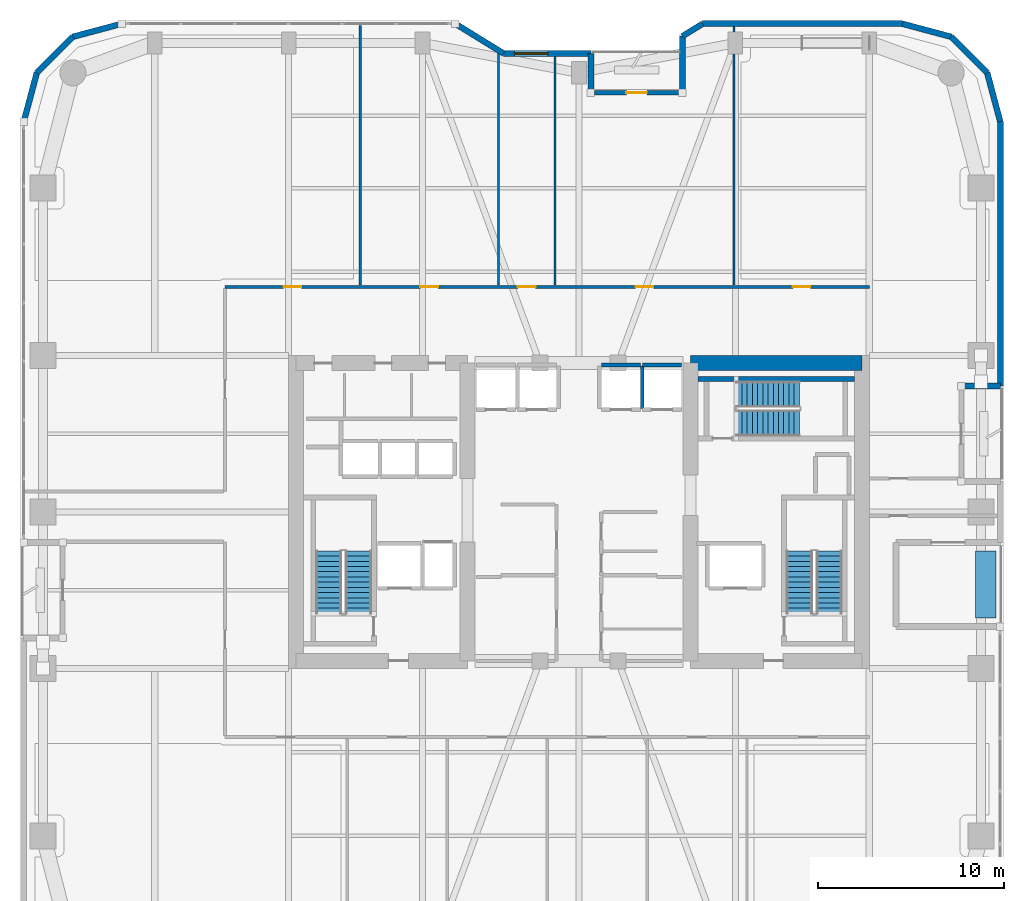
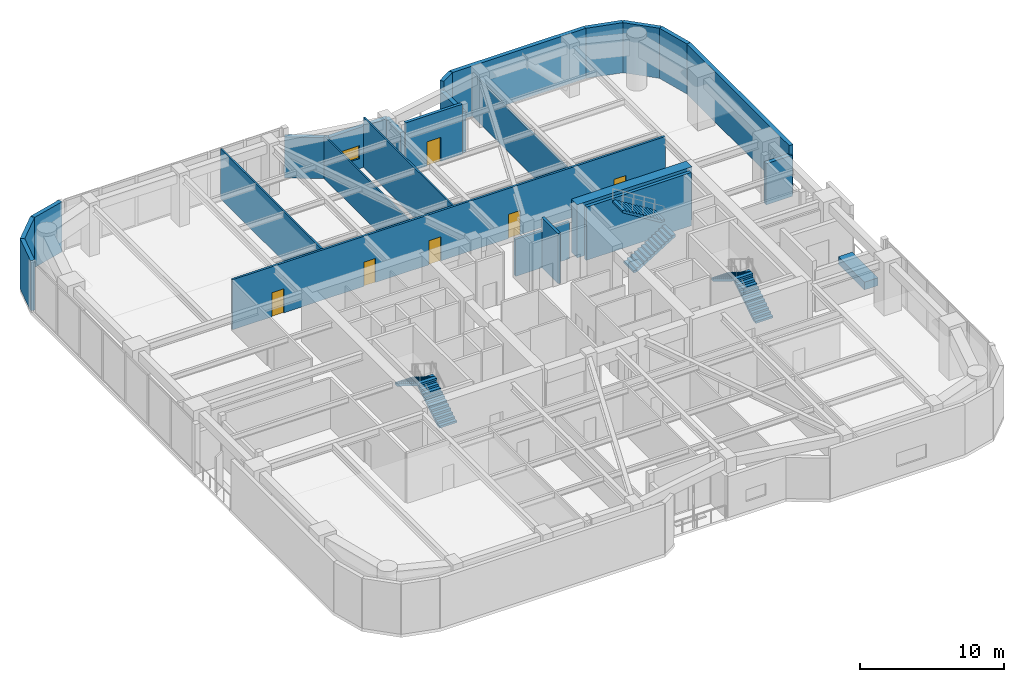
# One storey, part 17 of 20: 25 walls, 6 doors, 6 stair flights, 1 discrete accessory, 1 window, 7 openings, 3 elements without a shape of their own.
"""IFC4 building model written with IfcOpenShell, lengths in metres."""

from ifc_helpers import new_model, si_unit, direction, frame, frame_2d, origin, origin_2d, place, context, subcontext, project, spatial, polyline, rectangle, outline, extrude, material, layer, layer_set, type_object, element, fill, aggregate, save


model = new_model("IFC4")

# Units and contexts
model_context = context("Model", 3, precision=1e-05, world=origin(), true_north=direction((0.0, 1.0)))
body_context = subcontext(model_context, "Body", "Model", "MODEL_VIEW")
ifc_project = project(units=[si_unit("LENGTHUNIT", "METRE"), si_unit("AREAUNIT", "SQUARE_METRE"), si_unit("VOLUMEUNIT", "CUBIC_METRE"), si_unit("PLANEANGLEUNIT", "RADIAN"), si_unit("MASSUNIT", "GRAM", prefix="KILO")], contexts=[model_context])

# Site, building, storey
site_placement = place(None, origin())
site = spatial("IfcSite", under=ifc_project, at=site_placement, CompositionType="ELEMENT")
building_placement = place(site_placement, origin())
building = spatial("IfcBuilding", under=site, at=building_placement, Name="Kiyonajd Concourse Tower", CompositionType="ELEMENT")
storey_placement = place(building_placement, frame((0.0, 0.0, 125.39990234375)))
storey = spatial("IfcBuildingStorey", under=building, at=storey_placement, Name="L32", CompositionType="ELEMENT", Elevation=125.39990234375)

# Walls
ifc_material_1 = material(Name="Concrete C70/85", Category="concrete")
ifc_layer_1 = layer(ifc_material_1, 0.800048828125)
ifc_layer_set_1 = layer_set([ifc_layer_1], Name="Concrete C70/85")
wall_type_1 = type_object("IfcWallType", Name="WL-CORE-800", PredefinedType="SHEAR", material=ifc_layer_set_1)
wall_1_placement = place(storey_placement, frame((54.0, 44.0, 0.0), z_axis=(0.0, 0.0, 1.0), x_axis=(1.0, 0.0, 0.0)))
element("IfcWall", 1, at=wall_1_placement, inside=storey, type_object=wall_type_1, Name="L32 East Core North Shear Wall", PredefinedType="SHEAR", context=body_context, shape_type="SweptSolid", body=[
    extrude(rectangle(XDim=9.199951171875, YDim=0.800048828125, at=frame_2d((4.60009765625, 0.0))), origin(), (0.0, 0.0, 1.0), 4.5),
])
ifc_material_2 = material(Name="Precast concrete C50/60", Category="concrete")
ifc_layer_2 = layer(ifc_material_2, 0.320068359375)
ifc_layer_set_2 = layer_set([ifc_layer_2], Name="Precast concrete C50/60")
wall_type_2 = type_object("IfcWallType", Name="WL-EXT-320", PredefinedType="SOLIDWALL", material=ifc_layer_set_2)
wall_2_placement = place(storey_placement, frame((18.159912109375, 56.97900390625, 0.0), z_axis=(0.0, 0.0, 1.0), x_axis=(0.25869736047, 0.965958423373, 0.0)))
element("IfcWall", 2, at=wall_2_placement, inside=storey, type_object=wall_type_2, Name="L32 Exterior Concrete Frame Wall 05", PredefinedType="SOLIDWALL", context=body_context, shape_type="SweptSolid", body=[
    extrude(rectangle(XDim=2.731201171875, YDim=0.320068359375, at=frame_2d((1.36572265625, 0.0))), origin(), (0.0, 0.0, 1.0), 4.239990234375),
])
wall_3_placement = place(storey_placement, frame((18.866455078125, 59.6171875, 0.0), z_axis=(0.0, 0.0, 1.0), x_axis=(0.707106781187, 0.707106781187, 0.0)))
element("IfcWall", 3, at=wall_3_placement, inside=storey, type_object=wall_type_2, Name="L32 Exterior Concrete Frame Wall 06", PredefinedType="SOLIDWALL", context=body_context, shape_type="SweptSolid", body=[
    extrude(rectangle(XDim=2.7099609375, YDim=0.320068359375, at=frame_2d((1.35498046875, 0.0))), origin(), (0.0, 0.0, 1.0), 4.239990234375),
])
wall_4_placement = place(storey_placement, frame((20.78271484375, 61.533447265625, 0.0), z_axis=(0.0, 0.0, 1.0), x_axis=(0.965964405026, 0.25867502435, 0.0)))
element("IfcWall", 4, at=wall_4_placement, inside=storey, type_object=wall_type_2, Name="L32 Exterior Concrete Frame Wall 07", PredefinedType="SOLIDWALL", context=body_context, shape_type="SweptSolid", body=[
    extrude(rectangle(XDim=2.7314453125, YDim=0.320068359375, at=frame_2d((1.36572265625, 0.0))), origin(), (0.0, 0.0, 1.0), 4.239990234375),
])
wall_5_placement = place(storey_placement, frame((41.354736328125, 62.239990234375, 0.0), z_axis=(0.0, 0.0, 1.0), x_axis=(0.851630857047, -0.524142044989, 0.0)))
element("IfcWall", 5, at=wall_5_placement, inside=storey, type_object=wall_type_2, Name="L32 Exterior Concrete Frame Wall 09", PredefinedType="SOLIDWALL", context=body_context, shape_type="SweptSolid", body=[
    extrude(rectangle(XDim=3.052734375, YDim=0.320068359375, at=frame_2d((1.5263671875, 0.0))), origin(), (0.0, 0.0, 1.0), 3.47509765625),
])

# Wall, opening, window
wall_6_placement = place(storey_placement, frame((43.95458984375, 60.639892578125, 0.0), z_axis=(0.0, 0.0, 1.0), x_axis=(1.0, 0.0, 0.0)))
wall_6 = element("IfcWall", 6, at=wall_6_placement, inside=storey, type_object=wall_type_2, Name="L32 Exterior Concrete Frame Wall 10", PredefinedType="SOLIDWALL", context=body_context, shape_type="SweptSolid", body=[
    extrude(rectangle(XDim=4.685302734375, YDim=0.320068359375, at=frame_2d((2.3427734375, 0.0))), origin(), (0.0, 0.0, 1.0), 3.47509765625),
])
opening_1_placement = place(wall_6_placement, frame((0.572998046875, 0.0, 0.85009765625)))
opening_1 = element("IfcOpeningElement", 7, at=opening_1_placement, cuts=wall_6, Name="Opening WN1", PredefinedType="OPENING", context=body_context, shape_type="SweptSolid", body=[
    extrude(rectangle(XDim=1.800048828125, YDim=1.10009765625, at=frame_2d((0.89990234375, 0.550048828125))), frame((0.0, 0.169921875, 0.0), z_axis=(0.0, -1.0, 0.0), x_axis=(1.0, 0.0, 0.0)), (0.0, 0.0, 1.0), 0.340087890625),
])
ifc_material_3 = material(Name="Double Low-E Insulated Glass", Category="glass")
window_type = type_object("IfcWindowType", Name="WN-VIS-1800x1100", PartitioningType="SINGLE_PANEL", PredefinedType="WINDOW", material=ifc_material_3)
window_placement = place(opening_1_placement, origin())
window = element("IfcWindow", 8, at=window_placement, inside=storey, type_object=window_type, Name="L32 Modular Facade Vision Window 10", OverallHeight=1.10009765625, OverallWidth=1.800048828125, PartitioningType="SINGLE_PANEL", PredefinedType="WINDOW", context=body_context, shape_type="SweptSolid", body=[
    extrude(rectangle(XDim=1.800048828125, YDim=1.10009765625, at=frame_2d((0.89990234375, 0.550048828125))), frame((0.0, 0.030029296875, 0.0), z_axis=(0.0, -1.0, 0.0), x_axis=(1.0, 0.0, 0.0)), (0.0, 0.0, 1.0), 0.06005859375),
])
fill(opening_1, window)

# Walls
wall_7_placement = place(storey_placement, frame((48.639892578125, 60.639892578125, 0.0), z_axis=(0.0, 0.0, 1.0), x_axis=(0.0, -1.0, 0.0)))
element("IfcWall", 9, at=wall_7_placement, inside=storey, type_object=wall_type_2, Name="L32 Exterior Concrete Frame Wall 11", PredefinedType="SOLIDWALL", context=body_context, shape_type="SweptSolid", body=[
    extrude(rectangle(XDim=2.099853515625, YDim=0.320068359375, at=frame_2d((1.0498046875, 0.0))), origin(), (0.0, 0.0, 1.0), 3.47509765625),
])
wall_8_placement = place(storey_placement, frame((53.56005859375, 58.5400390625, 0.0), z_axis=(0.0, 0.0, 1.0), x_axis=(0.0, 1.0, 0.0)))
element("IfcWall", 10, at=wall_8_placement, inside=storey, type_object=wall_type_2, Name="L32 Exterior Concrete Frame Wall 13", PredefinedType="SOLIDWALL", context=body_context, shape_type="SweptSolid", body=[
    extrude(rectangle(XDim=3.032470703125, YDim=0.320068359375, at=frame_2d((1.51611328125, 0.0))), origin(), (0.0, 0.0, 1.0), 3.47509765625),
])
wall_9_placement = place(storey_placement, frame((53.56005859375, 61.572509765625, 0.0), z_axis=(0.0, 0.0, 1.0), x_axis=(0.851776724646, 0.523904964045, 0.0)))
element("IfcWall", 11, at=wall_9_placement, inside=storey, type_object=wall_type_2, Name="L32 Exterior Concrete Frame Wall 14", PredefinedType="SOLIDWALL", context=body_context, shape_type="SweptSolid", body=[
    extrude(rectangle(XDim=1.274169921875, YDim=0.320068359375, at=frame_2d((0.63720703125, 0.0))), origin(), (0.0, 0.0, 1.0), 4.239990234375),
])
wall_10_placement = place(storey_placement, frame((54.645263671875, 62.239990234375, 0.0), z_axis=(0.0, 0.0, 1.0), x_axis=(1.0, 0.0, 0.0)))
element("IfcWall", 12, at=wall_10_placement, inside=storey, type_object=wall_type_2, Name="L32 Exterior Concrete Frame Wall 15", PredefinedType="SOLIDWALL", context=body_context, shape_type="SweptSolid", body=[
    extrude(rectangle(XDim=10.733642578125, YDim=0.320068359375, at=frame_2d((5.36669921875, 0.0))), origin(), (0.0, 0.0, 1.0), 4.239990234375),
])
wall_11_placement = place(storey_placement, frame((65.37890625, 62.239990234375, 0.0), z_axis=(0.0, 0.0, 1.0), x_axis=(0.965958423373, -0.25869736047, 0.0)))
element("IfcWall", 13, at=wall_11_placement, inside=storey, type_object=wall_type_2, Name="L32 Exterior Concrete Frame Wall 16", PredefinedType="SOLIDWALL", context=body_context, shape_type="SweptSolid", body=[
    extrude(rectangle(XDim=2.731201171875, YDim=0.320068359375, at=frame_2d((1.36572265625, 0.0))), origin(), (0.0, 0.0, 1.0), 4.239990234375),
])
wall_12_placement = place(storey_placement, frame((68.01708984375, 61.533447265625, 0.0), z_axis=(0.0, 0.0, 1.0), x_axis=(0.707151821269, -0.707061738235, 0.0)))
element("IfcWall", 14, at=wall_12_placement, inside=storey, type_object=wall_type_2, Name="L32 Exterior Concrete Frame Wall 17", PredefinedType="SOLIDWALL", context=body_context, shape_type="SweptSolid", body=[
    extrude(rectangle(XDim=2.710205078125, YDim=0.320068359375, at=frame_2d((1.35498046875, 0.0))), origin(), (0.0, 0.0, 1.0), 4.239990234375),
])
wall_13_placement = place(storey_placement, frame((69.93359375, 59.6171875, 0.0), z_axis=(0.0, 0.0, 1.0), x_axis=(0.258613949072, -0.965980758269, 0.0)))
element("IfcWall", 15, at=wall_13_placement, inside=storey, type_object=wall_type_2, Name="L32 Exterior Concrete Frame Wall 18", PredefinedType="SOLIDWALL", context=body_context, shape_type="SweptSolid", body=[
    extrude(rectangle(XDim=2.731201171875, YDim=0.320068359375, at=frame_2d((1.36572265625, 0.0))), origin(), (0.0, 0.0, 1.0), 4.239990234375),
])
wall_14_placement = place(storey_placement, frame((70.639892578125, 56.97900390625, 0.0), z_axis=(0.0, 0.0, 1.0), x_axis=(0.0, -1.0, 0.0)))
element("IfcWall", 16, at=wall_14_placement, inside=storey, type_object=wall_type_2, Name="L32 Exterior Concrete Frame Wall 19", PredefinedType="SOLIDWALL", context=body_context, shape_type="SweptSolid", body=[
    extrude(rectangle(XDim=14.218994140625, YDim=0.320068359375, at=frame_2d((7.109375, 0.0))), origin(), (0.0, 0.0, 1.0), 4.239990234375),
])
wall_15_placement = place(storey_placement, frame((70.639892578125, 42.760009765625, 0.0), z_axis=(0.0, 0.0, 1.0), x_axis=(-1.0, 0.0, 0.0)))
element("IfcWall", 17, at=wall_15_placement, inside=storey, type_object=wall_type_2, Name="L32 Exterior Concrete Frame Wall 20", PredefinedType="SOLIDWALL", context=body_context, shape_type="SweptSolid", body=[
    extrude(rectangle(XDim=2.099853515625, YDim=0.320068359375, at=frame_2d((1.0498046875, 0.0))), origin(), (0.0, 0.0, 1.0), 3.47509765625),
])

# Wall, opening, door
ifc_layer_3 = layer(ifc_material_2, 0.239990234375)
ifc_layer_set_3 = layer_set([ifc_layer_3], Name="Precast concrete C50/60")
wall_type_3 = type_object("IfcWallType", Name="WL-LOG-240", PredefinedType="SOLIDWALL", material=ifc_layer_set_3)
wall_16_placement = place(storey_placement, frame((48.8349609375, 58.5400390625, 0.0), z_axis=(0.0, 0.0, 1.0), x_axis=(1.0, 0.0, 0.0)))
wall_16 = element("IfcWall", 18, at=wall_16_placement, inside=storey, type_object=wall_type_3, Name="L32 Recessed Loggia Thermal Wall LOG-N", PredefinedType="SOLIDWALL", context=body_context, shape_type="SweptSolid", body=[
    extrude(rectangle(XDim=4.530029296875, YDim=0.239990234375, at=frame_2d((2.26513671875, 0.0))), origin(), (0.0, 0.0, 1.0), 4.239990234375),
])
opening_2_placement = place(wall_16_placement, frame((1.715087890625, 0.0, 0.0)))
opening_2 = element("IfcOpeningElement", 19, at=opening_2_placement, cuts=wall_16, Name="Opening DL2", PredefinedType="OPENING", context=body_context, shape_type="SweptSolid", body=[
    extrude(rectangle(XDim=1.10009765625, YDim=2.0400390625, at=frame_2d((0.550048828125, 1.02001953125))), frame((0.0, 0.1298828125, 0.0), z_axis=(0.0, -1.0, 0.0), x_axis=(1.0, 0.0, 0.0)), (0.0, 0.0, 1.0), 0.260009765625),
])
ifc_material_4 = material(Name="Thermally Broken Anodised Aluminium", Category="aluminium")
door_type_1 = type_object("IfcDoorType", Name="DR-LOG-1100", OperationType="NOTDEFINED", PredefinedType="DOOR", material=ifc_material_4)
door_1_placement = place(opening_2_placement, origin())
door_1 = element("IfcDoor", 20, at=door_1_placement, inside=storey, type_object=door_type_1, Name="L32 Engawa Loggia Access Door LOG-N", OperationType="SINGLE_SWING_RIGHT", OverallHeight=2.0400390625, OverallWidth=1.10009765625, PredefinedType="DOOR", context=body_context, shape_type="SweptSolid", body=[
    extrude(rectangle(XDim=1.10009765625, YDim=2.0400390625, at=frame_2d((0.550048828125, 1.02001953125))), frame((0.0, 0.02490234375, 0.0), z_axis=(0.0, -1.0, 0.0), x_axis=(1.0, 0.0, 0.0)), (0.0, 0.0, 1.0), 0.050048828125),
])
fill(opening_2, door_1)

# Walls
ifc_material_5 = material(Name="Gypsum Board on Cold-Formed Steel Stud", Category="steel")
ifc_layer_4 = layer(ifc_material_5, 0.125)
ifc_layer_set_4 = layer_set([ifc_layer_4], Name="Gypsum Board on Cold-Formed Steel Stud")
wall_type_4 = type_object("IfcWallType", Name="WL-PART-125", PredefinedType="PARTITIONING", material=ifc_layer_set_4)
wall_17_placement = place(storey_placement, frame((36.239990234375, 48.18701171875, 0.0), z_axis=(0.0, 0.0, 1.0), x_axis=(0.0, 1.0, 0.0)))
element("IfcWall", 21, at=wall_17_placement, inside=storey, type_object=wall_type_4, Name="L32 Interior Partition Wall", PredefinedType="PARTITIONING", context=body_context, shape_type="SweptSolid", body=[
    extrude(rectangle(XDim=13.947998046875, YDim=0.125, at=frame_2d((6.97412109375, 0.0))), origin(), (0.0, 0.0, 1.0), 4.239990234375),
])
wall_18_placement = place(storey_placement, frame((43.669921875, 48.18701171875, 0.0), z_axis=(0.0, 0.0, 1.0), x_axis=(0.0, 1.0, 0.0)))
element("IfcWall", 22, at=wall_18_placement, inside=storey, type_object=wall_type_4, Name="L32 Interior Partition Wall", PredefinedType="PARTITIONING", context=body_context, shape_type="SweptSolid", body=[
    extrude(rectangle(XDim=12.472900390625, YDim=0.125, at=frame_2d((6.236328125, 0.0))), origin(), (0.0, 0.0, 1.0), 3.60302734375),
])
wall_19_placement = place(storey_placement, frame((46.7099609375, 48.18701171875, 0.0), z_axis=(0.0, 0.0, 1.0), x_axis=(0.0, 1.0, 0.0)))
element("IfcWall", 23, at=wall_19_placement, inside=storey, type_object=wall_type_4, Name="L32 Interior Partition Wall", PredefinedType="PARTITIONING", context=body_context, shape_type="SweptSolid", body=[
    extrude(rectangle(XDim=12.298095703125, YDim=0.125, at=frame_2d((6.14892578125, 0.0))), origin(), (0.0, 0.0, 1.0), 4.239990234375),
])
wall_20_placement = place(storey_placement, frame((56.330078125, 48.18701171875, 0.0), z_axis=(0.0, 0.0, 1.0), x_axis=(0.0, 1.0, 0.0)))
element("IfcWall", 24, at=wall_20_placement, inside=storey, type_object=wall_type_4, Name="L32 Interior Partition Wall", PredefinedType="PARTITIONING", context=body_context, shape_type="SweptSolid", body=[
    extrude(rectangle(XDim=13.89794921875, YDim=0.125, at=frame_2d((6.948974609375, 0.0))), origin(), (0.0, 0.0, 1.0), 3.60302734375),
])
ifc_layer_5 = layer(ifc_material_5, 0.2099609375)
ifc_layer_set_5 = layer_set([ifc_layer_5], Name="Gypsum Board on Cold-Formed Steel Stud")
wall_type_5 = type_object("IfcWallType", Name="WL-SHAFT-210", PredefinedType="PARTITIONING", material=ifc_layer_set_5)
wall_21_placement = place(storey_placement, frame((49.199951171875, 43.89990234375, 0.0), z_axis=(0.0, 0.0, 1.0), x_axis=(1.0, 0.0, 0.0)))
element("IfcWall", 25, at=wall_21_placement, inside=storey, type_object=wall_type_5, Name="L32 Shaft Enclosure Wall", PredefinedType="PARTITIONING", context=body_context, shape_type="SweptSolid", body=[
    extrude(rectangle(XDim=2.10009765625, YDim=0.2099609375, at=frame_2d((1.050048828125, 0.0))), origin(), (0.0, 0.0, 1.0), 3.125),
])
wall_22_placement = place(storey_placement, frame((51.39990234375, 41.56005859375, 0.0), z_axis=(0.0, 0.0, 1.0), x_axis=(0.0, 1.0, 0.0)))
element("IfcWall", 26, at=wall_22_placement, inside=storey, type_object=wall_type_5, Name="L32 Shaft Enclosure Wall", PredefinedType="PARTITIONING", context=body_context, shape_type="SweptSolid", body=[
    extrude(rectangle(XDim=2.280029296875, YDim=0.2099609375, at=frame_2d((1.14013671875, 0.0))), origin(), (0.0, 0.0, 1.0), 4.239990234375),
])
wall_23_placement = place(storey_placement, frame((51.39990234375, 43.89990234375, 0.0), z_axis=(0.0, 0.0, 1.0), x_axis=(1.0, 0.0, 0.0)))
element("IfcWall", 27, at=wall_23_placement, inside=storey, type_object=wall_type_5, Name="L32 Shaft Enclosure Wall", PredefinedType="PARTITIONING", context=body_context, shape_type="SweptSolid", body=[
    extrude(rectangle(XDim=2.10009765625, YDim=0.2099609375, at=frame_2d((1.050048828125, 0.0))), origin(), (0.0, 0.0, 1.0), 3.125),
])

# Wall, openings, doors
ifc_layer_6 = layer(ifc_material_5, 0.169921875)
ifc_layer_set_6 = layer_set([ifc_layer_6], Name="Gypsum Board on Cold-Formed Steel Stud")
wall_type_6 = type_object("IfcWallType", Name="WL-SMK-170", PredefinedType="PARTITIONING", material=ifc_layer_set_6)
wall_24_placement = place(storey_placement, frame((28.97509765625, 48.10009765625, 0.0), z_axis=(0.0, 0.0, 1.0), x_axis=(1.0, 0.0, 0.0)))
wall_24 = element("IfcWall", 28, at=wall_24_placement, inside=storey, type_object=wall_type_6, Name="L32 Interior Partition Wall", PredefinedType="PARTITIONING", context=body_context, shape_type="SweptSolid", body=[
    extrude(rectangle(XDim=34.625, YDim=0.169921875, at=frame_2d((17.3125, 0.0))), origin(), (0.0, 0.0, 1.0), 4.239990234375),
])
opening_3_placement = place(wall_24_placement, frame((3.157958984375, 0.0, 0.0)))
opening_3 = element("IfcOpeningElement", 29, at=opening_3_placement, cuts=wall_24, Name="Opening DI1", PredefinedType="OPENING", context=body_context, shape_type="SweptSolid", body=[
    extrude(rectangle(XDim=0.949951171875, YDim=2.0400390625, at=frame_2d((0.47509765625, 1.02001953125))), frame((0.0, 0.094970703125, 0.0), z_axis=(0.0, -1.0, 0.0), x_axis=(1.0, 0.0, 0.0)), (0.0, 0.0, 1.0), 0.18994140625),
])
opening_4_placement = place(wall_24_placement, frame((10.5048828125, 0.0, 0.0)))
opening_4 = element("IfcOpeningElement", 30, at=opening_4_placement, cuts=wall_24, Name="Opening DI1", PredefinedType="OPENING", context=body_context, shape_type="SweptSolid", body=[
    extrude(rectangle(XDim=0.949951171875, YDim=2.0400390625, at=frame_2d((0.47509765625, 1.02001953125))), frame((0.0, 0.094970703125, 0.0), z_axis=(0.0, -1.0, 0.0), x_axis=(1.0, 0.0, 0.0)), (0.0, 0.0, 1.0), 0.18994140625),
])
opening_5_placement = place(wall_24_placement, frame((15.739990234375, 0.0, 0.0)))
opening_5 = element("IfcOpeningElement", 31, at=opening_5_placement, cuts=wall_24, Name="Opening DI1", PredefinedType="OPENING", context=body_context, shape_type="SweptSolid", body=[
    extrude(rectangle(XDim=0.949951171875, YDim=2.0400390625, at=frame_2d((0.47509765625, 1.02001953125))), frame((0.0, 0.094970703125, 0.0), z_axis=(0.0, -1.0, 0.0), x_axis=(1.0, 0.0, 0.0)), (0.0, 0.0, 1.0), 0.18994140625),
])
opening_6_placement = place(wall_24_placement, frame((22.070068359375, 0.0, 0.0)))
opening_6 = element("IfcOpeningElement", 32, at=opening_6_placement, cuts=wall_24, Name="Opening DI1", PredefinedType="OPENING", context=body_context, shape_type="SweptSolid", body=[
    extrude(rectangle(XDim=0.949951171875, YDim=2.0400390625, at=frame_2d((0.47509765625, 1.02001953125))), frame((0.0, 0.094970703125, 0.0), z_axis=(0.0, -1.0, 0.0), x_axis=(1.0, 0.0, 0.0)), (0.0, 0.0, 1.0), 0.18994140625),
])
opening_7_placement = place(wall_24_placement, frame((30.514892578125, 0.0, 0.0)))
opening_7 = element("IfcOpeningElement", 33, at=opening_7_placement, cuts=wall_24, Name="Opening DI1", PredefinedType="OPENING", context=body_context, shape_type="SweptSolid", body=[
    extrude(rectangle(XDim=0.949951171875, YDim=2.0400390625, at=frame_2d((0.47509765625, 1.02001953125))), frame((0.0, 0.094970703125, 0.0), z_axis=(0.0, -1.0, 0.0), x_axis=(1.0, 0.0, 0.0)), (0.0, 0.0, 1.0), 0.18994140625),
])
ifc_material_6 = material(Name="Natural Oak Acoustic Timber Veneer", Category="wood")
door_type_2 = type_object("IfcDoorType", Name="DR-INT-950", OperationType="NOTDEFINED", PredefinedType="DOOR", material=ifc_material_6)
door_2_placement = place(opening_3_placement, origin())
door_2 = element("IfcDoor", 34, at=door_2_placement, inside=storey, type_object=door_type_2, Name="L32 Interior Door", OperationType="SINGLE_SWING_LEFT", OverallHeight=2.0400390625, OverallWidth=0.949951171875, PredefinedType="DOOR", context=body_context, shape_type="SweptSolid", body=[
    extrude(rectangle(XDim=0.949951171875, YDim=2.0400390625, at=frame_2d((0.47509765625, 1.02001953125))), frame((0.0, 0.02490234375, 0.0), z_axis=(0.0, -1.0, 0.0), x_axis=(1.0, 0.0, 0.0)), (0.0, 0.0, 1.0), 0.050048828125),
])
fill(opening_3, door_2)
door_3_placement = place(opening_4_placement, origin())
door_3 = element("IfcDoor", 35, at=door_3_placement, inside=storey, type_object=door_type_2, Name="L32 Interior Door", OperationType="SINGLE_SWING_RIGHT", OverallHeight=2.0400390625, OverallWidth=0.949951171875, PredefinedType="DOOR", context=body_context, shape_type="SweptSolid", body=[
    extrude(rectangle(XDim=0.949951171875, YDim=2.0400390625, at=frame_2d((0.47509765625, 1.02001953125))), frame((0.0, 0.02490234375, 0.0), z_axis=(0.0, -1.0, 0.0), x_axis=(1.0, 0.0, 0.0)), (0.0, 0.0, 1.0), 0.050048828125),
])
fill(opening_4, door_3)
door_4_placement = place(opening_5_placement, origin())
door_4 = element("IfcDoor", 36, at=door_4_placement, inside=storey, type_object=door_type_2, Name="L32 Interior Door", OperationType="SINGLE_SWING_LEFT", OverallHeight=2.0400390625, OverallWidth=0.949951171875, PredefinedType="DOOR", context=body_context, shape_type="SweptSolid", body=[
    extrude(rectangle(XDim=0.949951171875, YDim=2.0400390625, at=frame_2d((0.47509765625, 1.02001953125))), frame((0.0, 0.02490234375, 0.0), z_axis=(0.0, -1.0, 0.0), x_axis=(1.0, 0.0, 0.0)), (0.0, 0.0, 1.0), 0.050048828125),
])
fill(opening_5, door_4)
door_5_placement = place(opening_6_placement, origin())
door_5 = element("IfcDoor", 37, at=door_5_placement, inside=storey, type_object=door_type_2, Name="L32 Interior Door", OperationType="SINGLE_SWING_RIGHT", OverallHeight=2.0400390625, OverallWidth=0.949951171875, PredefinedType="DOOR", context=body_context, shape_type="SweptSolid", body=[
    extrude(rectangle(XDim=0.949951171875, YDim=2.0400390625, at=frame_2d((0.47509765625, 1.02001953125))), frame((0.0, 0.02490234375, 0.0), z_axis=(0.0, -1.0, 0.0), x_axis=(1.0, 0.0, 0.0)), (0.0, 0.0, 1.0), 0.050048828125),
])
fill(opening_6, door_5)
door_6_placement = place(opening_7_placement, origin())
door_6 = element("IfcDoor", 38, at=door_6_placement, inside=storey, type_object=door_type_2, Name="L32 Interior Door", OperationType="SINGLE_SWING_LEFT", OverallHeight=2.0400390625, OverallWidth=0.949951171875, PredefinedType="DOOR", context=body_context, shape_type="SweptSolid", body=[
    extrude(rectangle(XDim=0.949951171875, YDim=2.0400390625, at=frame_2d((0.47509765625, 1.02001953125))), frame((0.0, 0.02490234375, 0.0), z_axis=(0.0, -1.0, 0.0), x_axis=(1.0, 0.0, 0.0)), (0.0, 0.0, 1.0), 0.050048828125),
])
fill(opening_7, door_6)

# Wall
ifc_material_7 = material(Name="Concrete C50/60", Category="concrete")
ifc_layer_7 = layer(ifc_material_7, 0.260009765625)
ifc_layer_set_7 = layer_set([ifc_layer_7], Name="Concrete C50/60")
wall_type_7 = type_object("IfcWallType", Name="WL-STAIR-260", PredefinedType="SHEAR", material=ifc_layer_set_7)
wall_25_placement = place(storey_placement, frame((54.39990234375, 43.14990234375, 0.0), z_axis=(0.0, 0.0, 1.0), x_axis=(1.0, 0.0, 0.0)))
element("IfcWall", 39, at=wall_25_placement, inside=storey, type_object=wall_type_7, Name="L32 Stair ST3 Structural North Wall", PredefinedType="SHEAR", context=body_context, shape_type="SweptSolid", body=[
    extrude(rectangle(XDim=8.400146484375, YDim=0.260009765625, at=frame_2d((4.2001953125, 0.0))), origin(), (0.0, 0.0, 1.0), 4.5),
])

# Stair, stair flights
ifc_material_8 = material(Name="Concrete C40/50", Category="concrete")
stair_type = type_object("IfcStairType", Name="ST-DLG-26R", PredefinedType="HALF_TURN_STAIR", material=ifc_material_8)
stair_1_placement = place(storey_placement, origin())
stair_1 = element("IfcStair", 40, at=stair_1_placement, inside=storey, type_object=stair_type, Name="L32 Protected Exit Stair ST1", PredefinedType="HALF_TURN_STAIR")
stair_flight_type = type_object("IfcStairFlightType", Name="SF-STR-26R", PredefinedType="STRAIGHT", material=ifc_material_8)
stair_flight_1_placement = place(storey_placement, frame((36.14990234375, 30.550048828125, 0.0), z_axis=(0.0, 0.0, 1.0), x_axis=(0.0, 1.0, 0.0)))
stair_flight_1 = element("IfcStairFlight", 41, at=stair_flight_1_placement, type_object=stair_flight_type, Name="ST1 flight 1", NumberOfRisers=13, NumberOfTreads=12, PredefinedType="STRAIGHT", RiserHeight=0.173076923, TreadLength=0.28, context=body_context, shape_type="SweptSolid", body=[
    extrude(outline(polyline([(0.0, 0.0), (0.0, 0.173095703125), (0.280029296875, 0.173095703125), (0.280029296875, 0.34619140625), (0.56005859375, 0.34619140625), (0.56005859375, 0.519287109375), (0.840087890625, 0.519287109375), (0.840087890625, 0.6923828125), (1.1201171875, 0.6923828125), (1.1201171875, 0.865478515625), (1.39990234375, 0.865478515625), (1.39990234375, 1.03857421875), (1.679931640625, 1.03857421875), (1.679931640625, 1.21142578125), (1.9599609375, 1.21142578125), (1.9599609375, 1.384521484375), (2.239990234375, 1.384521484375), (2.239990234375, 1.5576171875), (2.52001953125, 1.5576171875), (2.52001953125, 1.730712890625), (2.800048828125, 1.730712890625), (2.800048828125, 1.90380859375), (3.080078125, 1.90380859375), (3.080078125, 2.076904296875), (3.360107421875, 2.076904296875), (3.360107421875, 2.25), (3.360107421875, 1.900634765625), (0.28515625, 0.0), (0.0, 0.0)])), frame((0.0, 0.699951171875, 0.0), z_axis=(0.0, -1.0, 0.0), x_axis=(1.0, 0.0, 0.0)), (0.0, 0.0, 1.0), 1.39990234375),
])
stair_flight_2_placement = place(storey_placement, frame((34.550048828125, 33.909912109375, 2.25), z_axis=(0.0, 0.0, 1.0), x_axis=(0.0, -1.0, 0.0)))
stair_flight_2 = element("IfcStairFlight", 42, at=stair_flight_2_placement, type_object=stair_flight_type, Name="ST1 flight 2", NumberOfRisers=13, NumberOfTreads=12, PredefinedType="STRAIGHT", RiserHeight=0.173076923, TreadLength=0.28, context=body_context, shape_type="SweptSolid", body=[
    extrude(outline(polyline([(0.0, 0.0), (0.0, 0.173095703125), (0.280029296875, 0.173095703125), (0.280029296875, 0.34619140625), (0.56005859375, 0.34619140625), (0.56005859375, 0.519287109375), (0.840087890625, 0.519287109375), (0.840087890625, 0.6923828125), (1.1201171875, 0.6923828125), (1.1201171875, 0.865478515625), (1.39990234375, 0.865478515625), (1.39990234375, 1.03857421875), (1.679931640625, 1.03857421875), (1.679931640625, 1.21142578125), (1.9599609375, 1.21142578125), (1.9599609375, 1.384521484375), (2.239990234375, 1.384521484375), (2.239990234375, 1.5576171875), (2.52001953125, 1.5576171875), (2.52001953125, 1.730712890625), (2.800048828125, 1.730712890625), (2.800048828125, 1.90380859375), (3.080078125, 1.90380859375), (3.080078125, 2.076904296875), (3.360107421875, 2.076904296875), (3.360107421875, 2.25), (3.360107421875, 1.900634765625), (0.28515625, 0.0), (0.0, 0.0)])), frame((0.0, 0.699951171875, 0.0), z_axis=(0.0, -1.0, 0.0), x_axis=(1.0, 0.0, 0.0)), (0.0, 0.0, 1.0), 1.39990234375),
])
aggregate(stair_1, [stair_flight_1, stair_flight_2])

stair_2_placement = place(storey_placement, origin())
stair_2 = element("IfcStair", 43, at=stair_2_placement, inside=storey, type_object=stair_type, Name="L32 Protected Exit Stair ST2", PredefinedType="HALF_TURN_STAIR")
stair_flight_3_placement = place(storey_placement, frame((61.449951171875, 30.550048828125, 0.0), z_axis=(0.0, 0.0, 1.0), x_axis=(0.0, 1.0, 0.0)))
stair_flight_3 = element("IfcStairFlight", 44, at=stair_flight_3_placement, type_object=stair_flight_type, Name="ST2 flight 1", NumberOfRisers=13, NumberOfTreads=12, PredefinedType="STRAIGHT", RiserHeight=0.173076923, TreadLength=0.28, context=body_context, shape_type="SweptSolid", body=[
    extrude(outline(polyline([(0.0, 0.0), (0.0, 0.173095703125), (0.280029296875, 0.173095703125), (0.280029296875, 0.34619140625), (0.56005859375, 0.34619140625), (0.56005859375, 0.519287109375), (0.840087890625, 0.519287109375), (0.840087890625, 0.6923828125), (1.1201171875, 0.6923828125), (1.1201171875, 0.865478515625), (1.39990234375, 0.865478515625), (1.39990234375, 1.03857421875), (1.679931640625, 1.03857421875), (1.679931640625, 1.21142578125), (1.9599609375, 1.21142578125), (1.9599609375, 1.384521484375), (2.239990234375, 1.384521484375), (2.239990234375, 1.5576171875), (2.52001953125, 1.5576171875), (2.52001953125, 1.730712890625), (2.800048828125, 1.730712890625), (2.800048828125, 1.90380859375), (3.080078125, 1.90380859375), (3.080078125, 2.076904296875), (3.360107421875, 2.076904296875), (3.360107421875, 2.25), (3.360107421875, 1.900634765625), (0.28515625, 0.0), (0.0, 0.0)])), frame((0.0, 0.699951171875, 0.0), z_axis=(0.0, -1.0, 0.0), x_axis=(1.0, 0.0, 0.0)), (0.0, 0.0, 1.0), 1.39990234375),
])
stair_flight_4_placement = place(storey_placement, frame((59.85009765625, 33.909912109375, 2.25), z_axis=(0.0, 0.0, 1.0), x_axis=(0.0, -1.0, 0.0)))
stair_flight_4 = element("IfcStairFlight", 45, at=stair_flight_4_placement, type_object=stair_flight_type, Name="ST2 flight 2", NumberOfRisers=13, NumberOfTreads=12, PredefinedType="STRAIGHT", RiserHeight=0.173076923, TreadLength=0.28, context=body_context, shape_type="SweptSolid", body=[
    extrude(outline(polyline([(0.0, 0.0), (0.0, 0.173095703125), (0.280029296875, 0.173095703125), (0.280029296875, 0.34619140625), (0.56005859375, 0.34619140625), (0.56005859375, 0.519287109375), (0.840087890625, 0.519287109375), (0.840087890625, 0.6923828125), (1.1201171875, 0.6923828125), (1.1201171875, 0.865478515625), (1.39990234375, 0.865478515625), (1.39990234375, 1.03857421875), (1.679931640625, 1.03857421875), (1.679931640625, 1.21142578125), (1.9599609375, 1.21142578125), (1.9599609375, 1.384521484375), (2.239990234375, 1.384521484375), (2.239990234375, 1.5576171875), (2.52001953125, 1.5576171875), (2.52001953125, 1.730712890625), (2.800048828125, 1.730712890625), (2.800048828125, 1.90380859375), (3.080078125, 1.90380859375), (3.080078125, 2.076904296875), (3.360107421875, 2.076904296875), (3.360107421875, 2.25), (3.360107421875, 1.900634765625), (0.28515625, 0.0), (0.0, 0.0)])), frame((0.0, 0.699951171875, 0.0), z_axis=(0.0, -1.0, 0.0), x_axis=(1.0, 0.0, 0.0)), (0.0, 0.0, 1.0), 1.39990234375),
])
aggregate(stair_2, [stair_flight_3, stair_flight_4])

stair_3_placement = place(storey_placement, origin())
stair_3 = element("IfcStair", 46, at=stair_3_placement, inside=storey, type_object=stair_type, Name="L32 Protected Exit Stair ST3", PredefinedType="HALF_TURN_STAIR")
stair_flight_5_placement = place(storey_placement, frame((56.47998046875, 40.780029296875, 0.0), z_axis=(0.0, 0.0, 1.0), x_axis=(1.0, 0.0, 0.0)))
stair_flight_5 = element("IfcStairFlight", 47, at=stair_flight_5_placement, type_object=stair_flight_type, Name="ST3 flight 1", NumberOfRisers=13, NumberOfTreads=12, PredefinedType="STRAIGHT", RiserHeight=0.173076923, TreadLength=0.28, context=body_context, shape_type="SweptSolid", body=[
    extrude(outline(polyline([(0.0, 0.0), (0.0, 0.173095703125), (0.280029296875, 0.173095703125), (0.280029296875, 0.34619140625), (0.56005859375, 0.34619140625), (0.56005859375, 0.519287109375), (0.840087890625, 0.519287109375), (0.840087890625, 0.6923828125), (1.1201171875, 0.6923828125), (1.1201171875, 0.865478515625), (1.39990234375, 0.865478515625), (1.39990234375, 1.03857421875), (1.679931640625, 1.03857421875), (1.679931640625, 1.21142578125), (1.9599609375, 1.21142578125), (1.9599609375, 1.384521484375), (2.239990234375, 1.384521484375), (2.239990234375, 1.5576171875), (2.52001953125, 1.5576171875), (2.52001953125, 1.730712890625), (2.800048828125, 1.730712890625), (2.800048828125, 1.90380859375), (3.080078125, 1.90380859375), (3.080078125, 2.076904296875), (3.360107421875, 2.076904296875), (3.360107421875, 2.25), (3.360107421875, 1.900634765625), (0.28515625, 0.0), (0.0, 0.0)])), frame((0.0, 0.699951171875, 0.0), z_axis=(0.0, -1.0, 0.0), x_axis=(1.0, 0.0, 0.0)), (0.0, 0.0, 1.0), 1.39990234375),
])
stair_flight_6_placement = place(storey_placement, frame((59.840087890625, 42.320068359375, 2.25), z_axis=(0.0, 0.0, 1.0), x_axis=(-1.0, 0.0, 0.0)))
stair_flight_6 = element("IfcStairFlight", 48, at=stair_flight_6_placement, type_object=stair_flight_type, Name="ST3 flight 2", NumberOfRisers=13, NumberOfTreads=12, PredefinedType="STRAIGHT", RiserHeight=0.173076923, TreadLength=0.28, context=body_context, shape_type="SweptSolid", body=[
    extrude(outline(polyline([(0.0, 0.0), (0.0, 0.173095703125), (0.280029296875, 0.173095703125), (0.280029296875, 0.34619140625), (0.56005859375, 0.34619140625), (0.56005859375, 0.519287109375), (0.840087890625, 0.519287109375), (0.840087890625, 0.6923828125), (1.1201171875, 0.6923828125), (1.1201171875, 0.865478515625), (1.39990234375, 0.865478515625), (1.39990234375, 1.03857421875), (1.679931640625, 1.03857421875), (1.679931640625, 1.21142578125), (1.9599609375, 1.21142578125), (1.9599609375, 1.384521484375), (2.239990234375, 1.384521484375), (2.239990234375, 1.5576171875), (2.52001953125, 1.5576171875), (2.52001953125, 1.730712890625), (2.800048828125, 1.730712890625), (2.800048828125, 1.90380859375), (3.080078125, 1.90380859375), (3.080078125, 2.076904296875), (3.360107421875, 2.076904296875), (3.360107421875, 2.25), (3.360107421875, 1.900634765625), (0.28515625, 0.0), (0.0, 0.0)])), frame((0.0, 0.699951171875, 0.0), z_axis=(0.0, -1.0, 0.0), x_axis=(1.0, 0.0, 0.0)), (0.0, 0.0, 1.0), 1.39990234375),
])
aggregate(stair_3, [stair_flight_5, stair_flight_6])

# Discrete accessory
discrete_accessory_type = type_object("IfcDiscreteAccessoryType", Name="DA-PLN-BOX", PredefinedType="USERDEFINED", material=ifc_material_2)
discrete_accessory_placement = place(storey_placement, frame((69.85009765625, 32.10009765625, 0.000244140625), z_axis=(0.0, 0.0, 1.0), x_axis=(0.0, 1.0, 0.0)))
element("IfcDiscreteAccessory", 49, at=discrete_accessory_placement, inside=storey, type_object=discrete_accessory_type, Name="L32 East Terrace Sky Garden Xeriscape Planter", ObjectType="PLANTER", PredefinedType="USERDEFINED", context=body_context, shape_type="SweptSolid", body=[
    extrude(rectangle(XDim=3.60009765625, YDim=1.10009765625, at=origin_2d()), origin(), (0.0, 0.0, 1.0), 0.64990234375),
])

save(model, "model.ifc")
